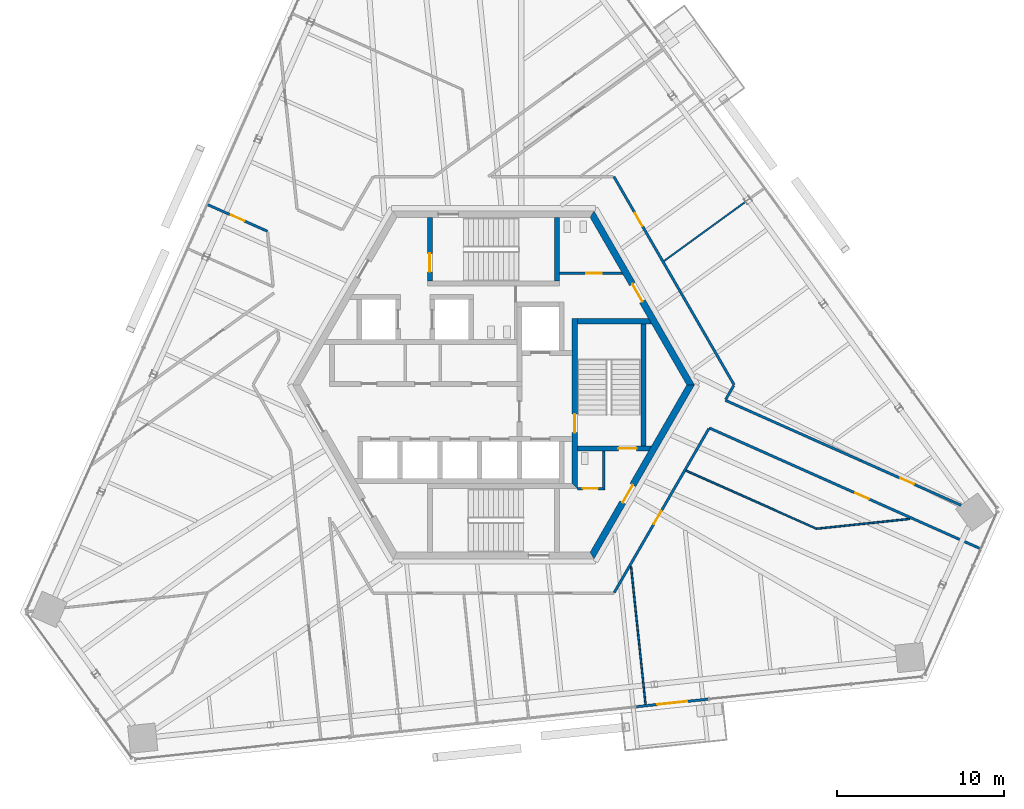
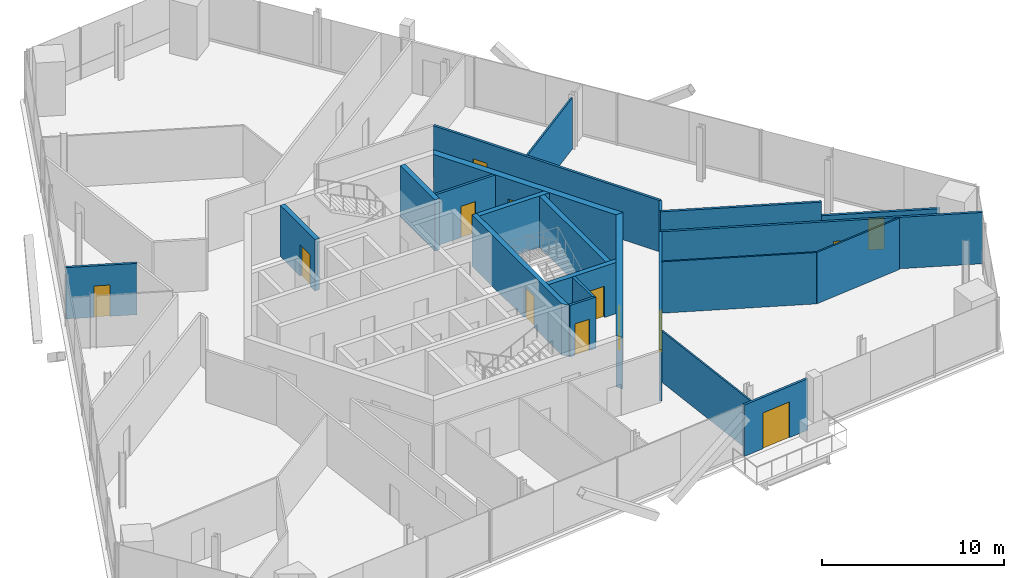
# One storey, part 13 of 18: 23 walls, 13 doors, 13 openings.
"""IFC4 building model written with IfcOpenShell, lengths in metres."""

from ifc_helpers import new_model, si_unit, direction, frame, frame_2d, origin, place, context, subcontext, project, spatial, polyline, rectangle, outline, extrude, source, transform, mapped, material, layer, layer_set, type_object, element, fill, save


model = new_model("IFC4")

# Units and contexts
model_context = context("Model", 3, precision=1e-05, world=origin(), true_north=direction((0.0, 1.0)))
body_context = subcontext(model_context, "Body", "Model", "MODEL_VIEW")
ifc_project = project(units=[si_unit("LENGTHUNIT", "METRE"), si_unit("AREAUNIT", "SQUARE_METRE"), si_unit("VOLUMEUNIT", "CUBIC_METRE"), si_unit("PLANEANGLEUNIT", "RADIAN"), si_unit("MASSUNIT", "GRAM", prefix="KILO")], contexts=[model_context])

# Site, building, storey
site_placement = place(None, origin())
site = spatial("IfcSite", under=ifc_project, at=site_placement, CompositionType="ELEMENT")
building_placement = place(site_placement, origin())
building = spatial("IfcBuilding", under=site, at=building_placement, Name="Triune Harvest Tower", CompositionType="ELEMENT")
storey_placement = place(building_placement, frame((0.0, 0.0, 237.699951171875)))
storey = spatial("IfcBuildingStorey", under=building, at=storey_placement, Name="L62", CompositionType="ELEMENT", Elevation=237.699951171875)

# Wall, opening, door
ifc_material_1 = material(Name="Gypsum board on steel studs", Category="steel")
ifc_layer_1 = layer(ifc_material_1, 0.14990234375)
ifc_layer_set_1 = layer_set([ifc_layer_1], Name="Gypsum board on steel studs")
wall_type_1 = type_object("IfcWallType", Name="Fire Partition 150 mm", PredefinedType="PARTITIONING", material=ifc_layer_set_1)
wall_1_placement = place(storey_placement, frame((7.20849609375, -12.399169921875, 0.0), z_axis=(0.0, 0.0, 1.0), x_axis=(0.500004300164, 0.866022921069, 0.0)))
wall_1 = element("IfcWall", 1, at=wall_1_placement, inside=storey, type_object=wall_type_1, Name="Partition L62 040", PredefinedType="PARTITIONING", context=body_context, shape_type="SweptSolid", body=[
    extrude(rectangle(XDim=11.29736328125, YDim=0.14990234375, at=frame_2d((5.648681640625, 0.0))), origin(), (0.0, 0.0, 1.0), 3.43994140625),
])
opening_1_placement = place(wall_1_placement, frame((4.72314453125, 0.0, 0.0)))
opening_1 = element("IfcOpeningElement", 2, at=opening_1_placement, cuts=wall_1, Name="Opening L62-016", PredefinedType="OPENING", context=body_context, shape_type="SweptSolid", body=[
    extrude(rectangle(XDim=0.89990234375, YDim=2.10009765625, at=frame_2d((0.449951171875, 1.050048828125))), frame((0.0, 0.0849609375, 0.0), z_axis=(0.0, -1.0, 0.0), x_axis=(1.0, 0.0, 0.0)), (0.0, 0.0, 1.0), 0.169921875),
])
ifc_material_2 = material(Name="Timber and steel door set", Category="steel")
door_type_1 = type_object("IfcDoorType", Name="Single leaf door FD30 right hand 900 x 2100", OperationType="SINGLE_SWING_RIGHT", PredefinedType="DOOR", material=ifc_material_2)
door_1_placement = place(opening_1_placement, origin())
door_1 = element("IfcDoor", 3, at=door_1_placement, inside=storey, type_object=door_type_1, Name="Door L62-016 Office 62.16", OperationType="SINGLE_SWING_RIGHT", OverallHeight=2.10009765625, OverallWidth=0.89990234375, PredefinedType="DOOR", context=body_context, shape_type="SweptSolid", body=[
    extrude(rectangle(XDim=0.89990234375, YDim=2.10009765625, at=frame_2d((0.449951171875, 1.050048828125))), frame((0.0, 0.02490234375, 0.0), z_axis=(0.0, -1.0, 0.0), x_axis=(1.0, 0.0, 0.0)), (0.0, 0.0, 1.0), 0.050048828125),
])
fill(opening_1, door_1)

# Walls
ifc_material_3 = material(Name="Gypsum board on steel studs", Category="steel")
ifc_layer_2 = layer(ifc_material_3, 0.10009765625)
ifc_layer_set_2 = layer_set([ifc_layer_2], Name="Gypsum board on steel studs")
wall_type_2 = type_object("IfcWallType", Name="Partition 100 mm", PredefinedType="PARTITIONING", material=ifc_layer_set_2)
wall_2_placement = place(storey_placement, frame((8.2119140625, -10.849609375, 0.0), z_axis=(0.0, 0.0, 1.0), x_axis=(0.10452506602, -0.994522252427, 0.0)))
element("IfcWall", 4, at=wall_2_placement, inside=storey, type_object=wall_type_2, Name="Partition L62 012", PredefinedType="PARTITIONING", context=body_context, shape_type="SweptSolid", body=[
    extrude(rectangle(XDim=8.354736328125, YDim=0.10009765625, at=frame_2d((4.17724609375, 0.0))), origin(), (0.0, 0.0, 1.0), 3.43994140625),
])
wall_3_placement = place(storey_placement, frame((19.299560546875, -8.58740234375, 0.0), z_axis=(0.0, 0.0, 1.0), x_axis=(0.994522010667, 0.104527366272, 0.0)))
element("IfcWall", 5, at=wall_3_placement, inside=storey, type_object=wall_type_2, Name="Partition L62 030", PredefinedType="PARTITIONING", context=body_context, shape_type="SweptSolid", body=[
    extrude(rectangle(XDim=5.570556640625, YDim=0.10009765625, at=frame_2d((2.78515625, 0.0))), origin(), (0.0, 0.0, 1.0), 3.43994140625),
])

# Wall, opening, door
ifc_material_4 = material(Name="Concrete 70 MPa", Category="concrete")
ifc_layer_3 = layer(ifc_material_4, 0.39990234375)
ifc_layer_set_3 = layer_set([ifc_layer_3], Name="Concrete 70 MPa")
wall_type_3 = type_object("IfcWallType", Name="Core wall 400", PredefinedType="SHEAR", material=ifc_layer_set_3)
shared_shape_1 = source(origin(), body_context, "Body", "SweptSolid", [
    extrude(outline(polyline([(-0.115478515625, -0.199951171875), (11.884521484375, -0.199951171875), (11.653564453125, 0.199951171875), (0.115478515625, 0.199951171875), (-0.115478515625, -0.199951171875)])), origin(), (0.0, 0.0, 1.0), 3.43994140625),
])
wall_4_placement = place(storey_placement, frame((11.76904296875, 0.0, 0.0), z_axis=(0.0, 0.0, 1.0), x_axis=(-0.499996592174, 0.866027371285, 0.0)))
wall_4 = element("IfcWall", 6, at=wall_4_placement, inside=storey, type_object=wall_type_3, Name="Hexagon 0 wall", PredefinedType="SHEAR", context=body_context, shape_type="MappedRepresentation", body=[
    mapped(shared_shape_1, transform((0.0, 0.0, 0.0), scale=1.0)),
])
opening_2_placement = place(wall_4_placement, frame((5.75048828125, 0.0, 0.0)))
opening_2 = element("IfcOpeningElement", 7, at=opening_2_placement, cuts=wall_4, Name="Opening CD-WCP", PredefinedType="OPENING", context=body_context, shape_type="SweptSolid", body=[
    extrude(rectangle(XDim=1.199951171875, YDim=2.10009765625, at=frame_2d((0.60009765625, 1.050048828125))), frame((0.0, 0.2099609375, 0.0), z_axis=(0.0, -1.0, 0.0), x_axis=(1.0, 0.0, 0.0)), (0.0, 0.0, 1.0), 0.419921875),
])
ifc_material_5 = material(Name="Steel S235", Category="steel")
door_type_2 = type_object("IfcDoorType", Name="Lobby door 1200 FD120", OperationType="SINGLE_SWING_LEFT", PredefinedType="DOOR", material=ifc_material_5)
door_2_placement = place(opening_2_placement, frame((1.199951171875, 0.0, 0.0), z_axis=(0.0, 0.0, 1.0), x_axis=(-1.0, 0.0, 0.0)))
door_2 = element("IfcDoor", 8, at=door_2_placement, inside=storey, type_object=door_type_2, Name="Door CD-WCP", OperationType="SINGLE_SWING_RIGHT", OverallHeight=2.10009765625, OverallWidth=1.199951171875, PredefinedType="DOOR", context=body_context, shape_type="SweptSolid", body=[
    extrude(rectangle(XDim=1.199951171875, YDim=2.10009765625, at=frame_2d((0.60009765625, 1.050048828125))), frame((0.0, 0.02490234375, 0.0), z_axis=(0.0, -1.0, 0.0), x_axis=(1.0, 0.0, 0.0)), (0.0, 0.0, 1.0), 0.050048828125),
])
fill(opening_2, door_2)

wall_5_placement = place(storey_placement, frame((5.884521484375, -10.1923828125, 0.0), z_axis=(0.0, 0.0, 1.0), x_axis=(0.499996592174, 0.866027371285, 0.0)))
wall_5 = element("IfcWall", 9, at=wall_5_placement, inside=storey, type_object=wall_type_3, Name="Hexagon 5 wall", PredefinedType="SHEAR", context=body_context, shape_type="MappedRepresentation", body=[
    mapped(shared_shape_1, transform((0.0, 0.0, 0.0), scale=1.0)),
])
opening_3_placement = place(wall_5_placement, frame((3.66455078125, 0.0, 0.0)))
opening_3 = element("IfcOpeningElement", 10, at=opening_3_placement, cuts=wall_5, Name="Opening CD-DP", PredefinedType="OPENING", context=body_context, shape_type="SweptSolid", body=[
    extrude(rectangle(XDim=1.199951171875, YDim=2.10009765625, at=frame_2d((0.60009765625, 1.050048828125))), frame((0.0, 0.2099609375, 0.0), z_axis=(0.0, -1.0, 0.0), x_axis=(1.0, 0.0, 0.0)), (0.0, 0.0, 1.0), 0.419921875),
])
ifc_material_6 = material(Name="Steel S235", Category="steel")
door_type_3 = type_object("IfcDoorType", Name="Stair door 1200 FD120", OperationType="SINGLE_SWING_LEFT", PredefinedType="DOOR", material=ifc_material_6)
door_3_placement = place(opening_3_placement, frame((1.199951171875, 0.0, 0.0), z_axis=(0.0, 0.0, 1.0), x_axis=(-1.0, 0.0, 0.0)))
door_3 = element("IfcDoor", 11, at=door_3_placement, inside=storey, type_object=door_type_3, Name="Door CD-DP", OperationType="SINGLE_SWING_RIGHT", OverallHeight=2.10009765625, OverallWidth=1.199951171875, PredefinedType="DOOR", context=body_context, shape_type="SweptSolid", body=[
    extrude(rectangle(XDim=1.199951171875, YDim=2.10009765625, at=frame_2d((0.60009765625, 1.050048828125))), frame((0.0, 0.02490234375, 0.0), z_axis=(0.0, -1.0, 0.0), x_axis=(1.0, 0.0, 0.0)), (0.0, 0.0, 1.0), 0.050048828125),
])
fill(opening_3, door_3)

ifc_material_7 = material(Name="Concrete 70 MPa", Category="concrete")
ifc_layer_4 = layer(ifc_material_7, 0.300048828125)
ifc_layer_set_4 = layer_set([ifc_layer_4], Name="Concrete 70 MPa")
wall_type_4 = type_object("IfcWallType", Name="Core wall 300", PredefinedType="SHEAR", material=ifc_layer_set_4)
shared_shape_2 = source(origin(), body_context, "Body", "SweptSolid", [
    extrude(outline(polyline([(-0.14990234375, -0.14990234375), (9.989990234375, -0.14990234375), (9.989990234375, 0.14990234375), (0.14990234375, 0.14990234375), (-0.14990234375, -0.14990234375)])), origin(), (0.0, 0.0, 1.0), 3.43994140625),
])
wall_6_placement = place(storey_placement, frame((4.85009765625, -6.0400390625, 0.0), z_axis=(0.0, 0.0, 1.0), x_axis=(0.0, 1.0, 0.0)))
wall_6 = element("IfcWall", 12, at=wall_6_placement, inside=storey, type_object=wall_type_4, Name="Stair e west wall", PredefinedType="SHEAR", context=body_context, shape_type="MappedRepresentation", body=[
    mapped(shared_shape_2, transform((0.0, 0.0, 0.0), scale=1.0)),
])
opening_4_placement = place(wall_6_placement, frame((3.18994140625, 0.0, 0.0)))
opening_4 = element("IfcOpeningElement", 13, at=opening_4_placement, cuts=wall_6, Name="Opening CD-S3L", PredefinedType="OPENING", context=body_context, shape_type="SweptSolid", body=[
    extrude(rectangle(XDim=1.10009765625, YDim=2.10009765625, at=frame_2d((0.550048828125, 1.050048828125))), frame((0.0, 0.16015625, 0.0), z_axis=(0.0, -1.0, 0.0), x_axis=(1.0, 0.0, 0.0)), (0.0, 0.0, 1.0), 0.320068359375),
])
ifc_material_8 = material(Name="Steel S235", Category="steel")
door_type_4 = type_object("IfcDoorType", Name="Stair door 1100 FD120", OperationType="SINGLE_SWING_LEFT", PredefinedType="DOOR", material=ifc_material_8)
door_4_placement = place(opening_4_placement, frame((1.10009765625, 0.0, 0.0), z_axis=(0.0, 0.0, 1.0), x_axis=(-1.0, 0.0, 0.0)))
door_4 = element("IfcDoor", 14, at=door_4_placement, inside=storey, type_object=door_type_4, Name="Door CD-S3L", OperationType="SINGLE_SWING_RIGHT", OverallHeight=2.10009765625, OverallWidth=1.10009765625, PredefinedType="DOOR", context=body_context, shape_type="SweptSolid", body=[
    extrude(rectangle(XDim=1.10009765625, YDim=2.10009765625, at=frame_2d((0.550048828125, 1.050048828125))), frame((0.0, 0.02490234375, 0.0), z_axis=(0.0, -1.0, 0.0), x_axis=(1.0, 0.0, 0.0)), (0.0, 0.0, 1.0), 0.050048828125),
])
fill(opening_4, door_4)

# Wall
shared_shape_3 = source(origin(), body_context, "Body", "SweptSolid", [
    extrude(outline(polyline([(0.0, -0.14990234375), (0.0, 0.14990234375), (4.260009765625, 0.14990234375), (4.43310546875, -0.14990234375), (0.0, -0.14990234375)])), origin(), (0.0, 0.0, 1.0), 3.43994140625),
])
wall_7_placement = place(storey_placement, frame((5.0, 3.800048828125, 0.0), z_axis=(0.0, 0.0, 1.0), x_axis=(1.0, 0.0, 0.0)))
element("IfcWall", 15, at=wall_7_placement, inside=storey, type_object=wall_type_4, Name="Stair e north wall", PredefinedType="SHEAR", context=body_context, shape_type="MappedRepresentation", body=[
    mapped(shared_shape_3, transform((0.0, 0.0, 0.0), scale=1.0)),
])

# Wall, opening, door
shared_shape_4 = source(origin(), body_context, "Body", "SweptSolid", [
    extrude(outline(polyline([(0.0, -0.14990234375), (0.0, 0.14990234375), (4.43310546875, 0.14990234375), (4.260009765625, -0.14990234375), (0.0, -0.14990234375)])), origin(), (0.0, 0.0, 1.0), 3.43994140625),
])
wall_8_placement = place(storey_placement, frame((5.0, -3.800048828125, 0.0), z_axis=(0.0, 0.0, 1.0), x_axis=(1.0, 0.0, 0.0)))
wall_8 = element("IfcWall", 16, at=wall_8_placement, inside=storey, type_object=wall_type_4, Name="Stair e south wall", PredefinedType="SHEAR", context=body_context, shape_type="MappedRepresentation", body=[
    mapped(shared_shape_4, transform((0.0, 0.0, 0.0), scale=1.0)),
])
opening_5_placement = place(wall_8_placement, frame((2.449951171875, 0.0, 0.0)))
opening_5 = element("IfcOpeningElement", 17, at=opening_5_placement, cuts=wall_8, Name="Opening CD-S3D", PredefinedType="OPENING", context=body_context, shape_type="SweptSolid", body=[
    extrude(rectangle(XDim=1.10009765625, YDim=2.10009765625, at=frame_2d((0.550048828125, 1.050048828125))), frame((0.0, 0.16015625, 0.0), z_axis=(0.0, -1.0, 0.0), x_axis=(1.0, 0.0, 0.0)), (0.0, 0.0, 1.0), 0.320068359375),
])
door_5_placement = place(opening_5_placement, frame((1.10009765625, 0.0, 0.0), z_axis=(0.0, 0.0, 1.0), x_axis=(-1.0, 0.0, 0.0)))
door_5 = element("IfcDoor", 18, at=door_5_placement, inside=storey, type_object=door_type_4, Name="Door CD-S3D", OperationType="SINGLE_SWING_RIGHT", OverallHeight=2.10009765625, OverallWidth=1.10009765625, PredefinedType="DOOR", context=body_context, shape_type="SweptSolid", body=[
    extrude(rectangle(XDim=1.10009765625, YDim=2.10009765625, at=frame_2d((0.550048828125, 1.050048828125))), frame((0.0, 0.02490234375, 0.0), z_axis=(0.0, -1.0, 0.0), x_axis=(1.0, 0.0, 0.0)), (0.0, 0.0, 1.0), 0.050048828125),
])
fill(opening_5, door_5)

# Wall
shared_shape_5 = source(origin(), body_context, "Body", "SweptSolid", [
    extrude(rectangle(XDim=7.2998046875, YDim=0.300048828125, at=frame_2d((3.64990234375, 0.0))), origin(), (0.0, 0.0, 1.0), 3.43994140625),
])
wall_9_placement = place(storey_placement, frame((8.949951171875, -3.64990234375, 0.0), z_axis=(0.0, 0.0, 1.0), x_axis=(0.0, 1.0, 0.0)))
element("IfcWall", 19, at=wall_9_placement, inside=storey, type_object=wall_type_4, Name="Stair e east wall", PredefinedType="SHEAR", context=body_context, shape_type="MappedRepresentation", body=[
    mapped(shared_shape_5, transform((0.0, 0.0, 0.0), scale=1.0)),
])

# Wall, opening, door
shared_shape_6 = source(origin(), body_context, "Body", "SweptSolid", [
    extrude(outline(polyline([(0.0, -0.14990234375), (0.0, 0.14990234375), (3.80419921875, 0.14990234375), (3.80419921875, -0.14990234375), (0.0, -0.14990234375)])), origin(), (0.0, 0.0, 1.0), 3.43994140625),
])
wall_10_placement = place(storey_placement, frame((-3.800048828125, 6.18994140625, 0.0), z_axis=(0.0, 0.0, 1.0), x_axis=(0.0, 1.0, 0.0)))
wall_10 = element("IfcWall", 20, at=wall_10_placement, inside=storey, type_object=wall_type_4, Name="Stair n west wall", PredefinedType="SHEAR", context=body_context, shape_type="MappedRepresentation", body=[
    mapped(shared_shape_6, transform((0.0, 0.0, 0.0), scale=1.0)),
])
opening_6_placement = place(wall_10_placement, frame((0.56005859375, 0.0, 0.0)))
opening_6 = element("IfcOpeningElement", 21, at=opening_6_placement, cuts=wall_10, Name="Opening CD-S1L", PredefinedType="OPENING", context=body_context, shape_type="SweptSolid", body=[
    extrude(rectangle(XDim=1.10009765625, YDim=2.10009765625, at=frame_2d((0.550048828125, 1.050048828125))), frame((0.0, 0.16015625, 0.0), z_axis=(0.0, -1.0, 0.0), x_axis=(1.0, 0.0, 0.0)), (0.0, 0.0, 1.0), 0.320068359375),
])
door_6_placement = place(opening_6_placement, frame((1.10009765625, 0.0, 0.0), z_axis=(0.0, 0.0, 1.0), x_axis=(-1.0, 0.0, 0.0)))
door_6 = element("IfcDoor", 22, at=door_6_placement, inside=storey, type_object=door_type_4, Name="Door CD-S1L", OperationType="SINGLE_SWING_RIGHT", OverallHeight=2.10009765625, OverallWidth=1.10009765625, PredefinedType="DOOR", context=body_context, shape_type="SweptSolid", body=[
    extrude(rectangle(XDim=1.10009765625, YDim=2.10009765625, at=frame_2d((0.550048828125, 1.050048828125))), frame((0.0, 0.02490234375, 0.0), z_axis=(0.0, -1.0, 0.0), x_axis=(1.0, 0.0, 0.0)), (0.0, 0.0, 1.0), 0.050048828125),
])
fill(opening_6, door_6)

# Wall
wall_11_placement = place(storey_placement, frame((3.800048828125, 6.18994140625, 0.0), z_axis=(0.0, 0.0, 1.0), x_axis=(0.0, 1.0, 0.0)))
element("IfcWall", 23, at=wall_11_placement, inside=storey, type_object=wall_type_4, Name="Stair n east wall", PredefinedType="SHEAR", context=body_context, shape_type="MappedRepresentation", body=[
    mapped(shared_shape_6, transform((0.0, 0.0, 0.0), scale=1.0)),
])

# Wall, opening, door
ifc_material_9 = material(Name="Concrete masonry unit", Category="masonry")
ifc_layer_5 = layer(ifc_material_9, 0.14990234375)
ifc_layer_set_5 = layer_set([ifc_layer_5], Name="Concrete masonry unit")
wall_type_5 = type_object("IfcWallType", Name="Block partition 150 unrated", PredefinedType="PARTITIONING", material=ifc_layer_set_5)
shared_shape_7 = source(origin(), body_context, "Body", "SweptSolid", [
    extrude(outline(polyline([(0.0, -0.074951171875), (0.0, 0.074951171875), (3.693359375, 0.074951171875), (3.77978515625, -0.074951171875), (0.0, -0.074951171875)])), origin(), (0.0, 0.0, 1.0), 3.43994140625),
])
wall_12_placement = place(storey_placement, frame((3.949951171875, 6.675048828125, 0.0), z_axis=(0.0, 0.0, 1.0), x_axis=(1.0, 0.0, 0.0)))
wall_12 = element("IfcWall", 24, at=wall_12_placement, inside=storey, type_object=wall_type_5, Name="Wc women south wall", PredefinedType="PARTITIONING", context=body_context, shape_type="MappedRepresentation", body=[
    mapped(shared_shape_7, transform((0.0, 0.0, 0.0), scale=1.0)),
])
opening_7_placement = place(wall_12_placement, frame((1.60009765625, 0.0, 0.0)))
opening_7 = element("IfcOpeningElement", 25, at=opening_7_placement, cuts=wall_12, Name="Opening CD-WW", PredefinedType="OPENING", context=body_context, shape_type="SweptSolid", body=[
    extrude(rectangle(XDim=0.89990234375, YDim=2.10009765625, at=frame_2d((0.449951171875, 1.050048828125))), frame((0.0, 0.0849609375, 0.0), z_axis=(0.0, -1.0, 0.0), x_axis=(1.0, 0.0, 0.0)), (0.0, 0.0, 1.0), 0.169921875),
])
ifc_material_10 = material(Name="Timber C24", Category="wood")
door_type_5 = type_object("IfcDoorType", Name="WC door 900", OperationType="SINGLE_SWING_LEFT", PredefinedType="DOOR", material=ifc_material_10)
door_7_placement = place(opening_7_placement, origin())
door_7 = element("IfcDoor", 26, at=door_7_placement, inside=storey, type_object=door_type_5, Name="Door CD-WW", OperationType="SINGLE_SWING_LEFT", OverallHeight=2.10009765625, OverallWidth=0.89990234375, PredefinedType="DOOR", context=body_context, shape_type="SweptSolid", body=[
    extrude(rectangle(XDim=0.89990234375, YDim=2.10009765625, at=frame_2d((0.449951171875, 1.050048828125))), frame((0.0, 0.02490234375, 0.0), z_axis=(0.0, -1.0, 0.0), x_axis=(1.0, 0.0, 0.0)), (0.0, 0.0, 1.0), 0.050048828125),
])
fill(opening_7, door_7)

shared_shape_8 = source(origin(), body_context, "Body", "SweptSolid", [
    extrude(outline(polyline([(0.0, -0.074951171875), (1.64990234375, -0.074951171875), (1.5, 0.074951171875), (0.0, 0.074951171875), (0.0, -0.074951171875)])), origin(), (0.0, 0.0, 1.0), 3.43994140625),
])
wall_13_placement = place(storey_placement, frame((5.0, -6.18994140625, 0.0), z_axis=(0.0, 0.0, 1.0), x_axis=(1.0, 0.0, 0.0)))
wall_13 = element("IfcWall", 27, at=wall_13_placement, inside=storey, type_object=wall_type_5, Name="Wc acc south wall", PredefinedType="PARTITIONING", context=body_context, shape_type="MappedRepresentation", body=[
    mapped(shared_shape_8, transform((0.0, 0.0, 0.0), scale=1.0)),
])
opening_8_placement = place(wall_13_placement, frame((0.33740234375, 0.0, 0.0)))
opening_8 = element("IfcOpeningElement", 28, at=opening_8_placement, cuts=wall_13, Name="Opening CD-WA", PredefinedType="OPENING", context=body_context, shape_type="SweptSolid", body=[
    extrude(rectangle(XDim=0.89990234375, YDim=2.10009765625, at=frame_2d((0.449951171875, 1.050048828125))), frame((0.0, 0.0849609375, 0.0), z_axis=(0.0, -1.0, 0.0), x_axis=(1.0, 0.0, 0.0)), (0.0, 0.0, 1.0), 0.169921875),
])
door_8_placement = place(opening_8_placement, origin())
door_8 = element("IfcDoor", 29, at=door_8_placement, inside=storey, type_object=door_type_5, Name="Door CD-WA", OperationType="SINGLE_SWING_LEFT", OverallHeight=2.10009765625, OverallWidth=0.89990234375, PredefinedType="DOOR", context=body_context, shape_type="SweptSolid", body=[
    extrude(rectangle(XDim=0.89990234375, YDim=2.10009765625, at=frame_2d((0.449951171875, 1.050048828125))), frame((0.0, 0.02490234375, 0.0), z_axis=(0.0, -1.0, 0.0), x_axis=(1.0, 0.0, 0.0)), (0.0, 0.0, 1.0), 0.050048828125),
])
fill(opening_8, door_8)

# Wall
shared_shape_9 = source(origin(), body_context, "Body", "SweptSolid", [
    extrude(outline(polyline([(-0.074951171875, -0.074951171875), (2.239990234375, -0.074951171875), (2.239990234375, 0.074951171875), (0.074951171875, 0.074951171875), (-0.074951171875, -0.074951171875)])), origin(), (0.0, 0.0, 1.0), 3.43994140625),
])
wall_14_placement = place(storey_placement, frame((6.574951171875, -6.18994140625, 0.0), z_axis=(0.0, 0.0, 1.0), x_axis=(0.0, 1.0, 0.0)))
element("IfcWall", 30, at=wall_14_placement, inside=storey, type_object=wall_type_5, Name="Wc acc east wall", PredefinedType="PARTITIONING", context=body_context, shape_type="MappedRepresentation", body=[
    mapped(shared_shape_9, transform((0.0, 0.0, 0.0), scale=1.0)),
])

# Wall, opening, door
ifc_material_11 = material(Name="Aluminium bronze anodised", Category="aluminium")
ifc_layer_6 = layer(ifc_material_11, 0.14990234375)
ifc_layer_set_6 = layer_set([ifc_layer_6], Name="Aluminium bronze anodised")
wall_type_6 = type_object("IfcWallType", Name="WW-2 balcony window wall", PredefinedType="ELEMENTEDWALL", material=ifc_layer_set_6)
shared_shape_10 = source(origin(), body_context, "Body", "SweptSolid", [
    extrude(rectangle(XDim=4.31640625, YDim=0.14990234375, at=frame_2d((2.158203125, 0.0))), origin(), (0.0, 0.0, 1.0), 3.43994140625),
])
wall_15_placement = place(storey_placement, frame((12.82275390625, -18.765869140625, 0.0), z_axis=(0.0, 0.0, 1.0), x_axis=(-0.99452217624, -0.104525790917, 0.0)))
wall_15 = element("IfcWall", 31, at=wall_15_placement, inside=storey, type_object=wall_type_6, Name="WW-2 B6-F5 L62.8", PredefinedType="ELEMENTEDWALL", context=body_context, shape_type="MappedRepresentation", body=[
    mapped(shared_shape_10, transform((0.0, 0.0, 0.0), scale=1.0)),
])
opening_9_placement = place(wall_15_placement, frame((1.25830078125, 0.0, 0.0)))
opening_9 = element("IfcOpeningElement", 32, at=opening_9_placement, cuts=wall_15, Name="Opening L62-E02", PredefinedType="OPENING", context=body_context, shape_type="SweptSolid", body=[
    extrude(rectangle(XDim=1.800048828125, YDim=2.39990234375, at=frame_2d((0.89990234375, 1.199951171875))), frame((0.0, 0.0849609375, 0.0), z_axis=(0.0, -1.0, 0.0), x_axis=(1.0, 0.0, 0.0)), (0.0, 0.0, 1.0), 0.169921875),
])
ifc_material_12 = material(Name="Glass", Category="glass")
door_type_6 = type_object("IfcDoorType", Name="DB-1 balcony door 1800 x 2400", OperationType="DOUBLE_DOOR_SINGLE_SWING", PredefinedType="DOOR", material=ifc_material_12)
door_9_placement = place(opening_9_placement, origin())
door_9 = element("IfcDoor", 33, at=door_9_placement, inside=storey, type_object=door_type_6, Name="Door L62-E02", OperationType="DOUBLE_DOOR_SINGLE_SWING", OverallHeight=2.39990234375, OverallWidth=1.800048828125, PredefinedType="DOOR", context=body_context, shape_type="SweptSolid", body=[
    extrude(rectangle(XDim=1.800048828125, YDim=2.39990234375, at=frame_2d((0.89990234375, 1.199951171875))), frame((0.0, 0.02490234375, 0.0), z_axis=(0.0, -1.0, 0.0), x_axis=(1.0, 0.0, 0.0)), (0.0, 0.0, 1.0), 0.050048828125),
])
fill(opening_9, door_9)

shared_shape_11 = source(origin(), body_context, "Body", "SweptSolid", [
    extrude(rectangle(XDim=14.3671875, YDim=0.14990234375, at=frame_2d((7.18359375, 0.0))), origin(), (0.0, 0.0, 1.0), 3.43994140625),
])
wall_16_placement = place(storey_placement, frame((7.18359375, 12.4423828125, 0.0), z_axis=(0.0, 0.0, 1.0), x_axis=(0.499998991654, -0.866025985952, 0.0)))
wall_16 = element("IfcWall", 34, at=wall_16_placement, inside=storey, type_object=wall_type_1, Name="Partition L62 015", PredefinedType="PARTITIONING", context=body_context, shape_type="MappedRepresentation", body=[
    mapped(shared_shape_11, transform((0.0, 0.0, 0.0), scale=1.0)),
])
opening_10_placement = place(wall_16_placement, frame((2.52587890625, 0.0, 0.0)))
opening_10 = element("IfcOpeningElement", 35, at=opening_10_placement, cuts=wall_16, Name="Opening L62-003", PredefinedType="OPENING", context=body_context, shape_type="SweptSolid", body=[
    extrude(rectangle(XDim=0.89990234375, YDim=2.10009765625, at=frame_2d((0.449951171875, 1.050048828125))), frame((0.0, 0.0849609375, 0.0), z_axis=(0.0, -1.0, 0.0), x_axis=(1.0, 0.0, 0.0)), (0.0, 0.0, 1.0), 0.169921875),
])
ifc_material_13 = material(Name="Timber and steel door set", Category="steel")
door_type_7 = type_object("IfcDoorType", Name="Single leaf door FD30 left hand 900 x 2100", OperationType="SINGLE_SWING_LEFT", PredefinedType="DOOR", material=ifc_material_13)
door_10_placement = place(opening_10_placement, origin())
door_10 = element("IfcDoor", 36, at=door_10_placement, inside=storey, type_object=door_type_7, Name="Door L62-003 Project Room 62.03", OperationType="SINGLE_SWING_LEFT", OverallHeight=2.10009765625, OverallWidth=0.89990234375, PredefinedType="DOOR", context=body_context, shape_type="SweptSolid", body=[
    extrude(rectangle(XDim=0.89990234375, YDim=2.10009765625, at=frame_2d((0.449951171875, 1.050048828125))), frame((0.0, 0.02490234375, 0.0), z_axis=(0.0, -1.0, 0.0), x_axis=(1.0, 0.0, 0.0)), (0.0, 0.0, 1.0), 0.050048828125),
])
fill(opening_10, door_10)

# Wall
shared_shape_12 = source(origin(), body_context, "Body", "SweptSolid", [
    extrude(rectangle(XDim=8.544921875, YDim=0.10009765625, at=frame_2d((4.2724609375, 0.0))), origin(), (0.0, 0.0, 1.0), 3.43994140625),
])
wall_17_placement = place(storey_placement, frame((11.48388671875, -5.113037109375, 0.0), z_axis=(0.0, 0.0, 1.0), x_axis=(0.913553334727, -0.406718950392, 0.0)))
element("IfcWall", 37, at=wall_17_placement, inside=storey, type_object=wall_type_2, Name="Partition L62 018", PredefinedType="PARTITIONING", context=body_context, shape_type="MappedRepresentation", body=[
    mapped(shared_shape_12, transform((0.0, 0.0, 0.0), scale=1.0)),
])

# Wall, opening, door
shared_shape_13 = source(origin(), body_context, "Body", "SweptSolid", [
    extrude(rectangle(XDim=3.93701171875, YDim=0.14990234375, at=frame_2d((1.968505859375, 0.0))), origin(), (0.0, 0.0, 1.0), 3.43994140625),
])
wall_18_placement = place(storey_placement, frame((-17.098876953125, 10.77587890625, 0.0), z_axis=(0.0, 0.0, 1.0), x_axis=(0.913571009461, -0.406679247899, 0.0)))
wall_18 = element("IfcWall", 38, at=wall_18_placement, inside=storey, type_object=wall_type_1, Name="Partition L62 019", PredefinedType="PARTITIONING", context=body_context, shape_type="MappedRepresentation", body=[
    mapped(shared_shape_13, transform((0.0, 0.0, 0.0), scale=1.0)),
])
opening_11_placement = place(wall_18_placement, frame((1.550048828125, 0.0, 0.0)))
opening_11 = element("IfcOpeningElement", 39, at=opening_11_placement, cuts=wall_18, Name="Opening L62-007", PredefinedType="OPENING", context=body_context, shape_type="SweptSolid", body=[
    extrude(rectangle(XDim=0.89990234375, YDim=2.10009765625, at=frame_2d((0.449951171875, 1.050048828125))), frame((0.0, 0.0849609375, 0.0), z_axis=(0.0, -1.0, 0.0), x_axis=(1.0, 0.0, 0.0)), (0.0, 0.0, 1.0), 0.169921875),
])
door_11_placement = place(opening_11_placement, origin())
door_11 = element("IfcDoor", 40, at=door_11_placement, inside=storey, type_object=door_type_7, Name="Door L62-007 Meeting Room 62.07", OperationType="SINGLE_SWING_LEFT", OverallHeight=2.10009765625, OverallWidth=0.89990234375, PredefinedType="DOOR", context=body_context, shape_type="SweptSolid", body=[
    extrude(rectangle(XDim=0.89990234375, YDim=2.10009765625, at=frame_2d((0.449951171875, 1.050048828125))), frame((0.0, 0.02490234375, 0.0), z_axis=(0.0, -1.0, 0.0), x_axis=(1.0, 0.0, 0.0)), (0.0, 0.0, 1.0), 0.050048828125),
])
fill(opening_11, door_11)

shared_shape_14 = source(origin(), body_context, "Body", "SweptSolid", [
    extrude(rectangle(XDim=17.74658203125, YDim=0.14990234375, at=frame_2d((8.873291015625, 0.0))), origin(), (0.0, 0.0, 1.0), 3.43994140625),
])
wall_19_placement = place(storey_placement, frame((12.882080078125, -2.572509765625, 0.0), z_axis=(0.0, 0.0, 1.0), x_axis=(0.913549833627, -0.406726814312, 0.0)))
wall_19 = element("IfcWall", 41, at=wall_19_placement, inside=storey, type_object=wall_type_1, Name="Partition L62 020", PredefinedType="PARTITIONING", context=body_context, shape_type="MappedRepresentation", body=[
    mapped(shared_shape_14, transform((0.0, 0.0, 0.0), scale=1.0)),
])
opening_12_placement = place(wall_19_placement, frame((9.538818359375, 0.0, 0.0)))
opening_12 = element("IfcOpeningElement", 42, at=opening_12_placement, cuts=wall_19, Name="Opening L62-001", PredefinedType="OPENING", context=body_context, shape_type="SweptSolid", body=[
    extrude(rectangle(XDim=0.89990234375, YDim=2.10009765625, at=frame_2d((0.449951171875, 1.050048828125))), frame((0.0, 0.0849609375, 0.0), z_axis=(0.0, -1.0, 0.0), x_axis=(1.0, 0.0, 0.0)), (0.0, 0.0, 1.0), 0.169921875),
])
door_12_placement = place(opening_12_placement, origin())
door_12 = element("IfcDoor", 43, at=door_12_placement, inside=storey, type_object=door_type_7, Name="Door L62-001 Dry Store Room 62.01", OperationType="SINGLE_SWING_LEFT", OverallHeight=2.10009765625, OverallWidth=0.89990234375, PredefinedType="DOOR", context=body_context, shape_type="SweptSolid", body=[
    extrude(rectangle(XDim=0.89990234375, YDim=2.10009765625, at=frame_2d((0.449951171875, 1.050048828125))), frame((0.0, 0.02490234375, 0.0), z_axis=(0.0, -1.0, 0.0), x_axis=(1.0, 0.0, 0.0)), (0.0, 0.0, 1.0), 0.050048828125),
])
fill(opening_12, door_12)

# Wall
shared_shape_15 = source(origin(), body_context, "Body", "SweptSolid", [
    extrude(rectangle(XDim=8.864501953125, YDim=0.14990234375, at=frame_2d((4.43212890625, 0.0))), origin(), (0.0, 0.0, 1.0), 3.43994140625),
])
wall_20_placement = place(storey_placement, frame((13.837158203125, -0.917724609375, 0.0), z_axis=(0.0, 0.0, 1.0), x_axis=(0.913547867559, -0.406731230272, 0.0)))
element("IfcWall", 44, at=wall_20_placement, inside=storey, type_object=wall_type_1, Name="Partition L62 022", PredefinedType="PARTITIONING", context=body_context, shape_type="MappedRepresentation", body=[
    mapped(shared_shape_15, transform((0.0, 0.0, 0.0), scale=1.0)),
])

# Wall, opening, door
shared_shape_16 = source(origin(), body_context, "Body", "SweptSolid", [
    extrude(rectangle(XDim=6.5478515625, YDim=0.14990234375, at=frame_2d((3.27392578125, 0.0))), origin(), (0.0, 0.0, 1.0), 2.525634765625),
])
wall_21_placement = place(storey_placement, frame((21.935302734375, -4.523193359375, 0.0), z_axis=(0.0, 0.0, 1.0), x_axis=(0.913539195618, -0.406750707522, 0.0)))
wall_21 = element("IfcWall", 45, at=wall_21_placement, inside=storey, type_object=wall_type_1, Name="Partition L62 022a", PredefinedType="PARTITIONING", context=body_context, shape_type="MappedRepresentation", body=[
    mapped(shared_shape_16, transform((0.0, 0.0, 0.0), scale=1.0)),
])
opening_13_placement = place(wall_21_placement, frame((2.582763671875, 0.0, 0.0)))
opening_13 = element("IfcOpeningElement", 46, at=opening_13_placement, cuts=wall_21, Name="Opening L62-002", PredefinedType="OPENING", context=body_context, shape_type="SweptSolid", body=[
    extrude(rectangle(XDim=0.89990234375, YDim=2.10009765625, at=frame_2d((0.449951171875, 1.050048828125))), frame((0.0, 0.0849609375, 0.0), z_axis=(0.0, -1.0, 0.0), x_axis=(1.0, 0.0, 0.0)), (0.0, 0.0, 1.0), 0.169921875),
])
door_13_placement = place(opening_13_placement, origin())
door_13 = element("IfcDoor", 47, at=door_13_placement, inside=storey, type_object=door_type_1, Name="Door L62-002 Open Office 62.02", OperationType="SINGLE_SWING_RIGHT", OverallHeight=2.10009765625, OverallWidth=0.89990234375, PredefinedType="DOOR", context=body_context, shape_type="SweptSolid", body=[
    extrude(rectangle(XDim=0.89990234375, YDim=2.10009765625, at=frame_2d((0.449951171875, 1.050048828125))), frame((0.0, 0.02490234375, 0.0), z_axis=(0.0, -1.0, 0.0), x_axis=(1.0, 0.0, 0.0)), (0.0, 0.0, 1.0), 0.050048828125),
])
fill(opening_13, door_13)

# Walls
shared_shape_17 = source(origin(), body_context, "Body", "SweptSolid", [
    extrude(rectangle(XDim=0.94970703125, YDim=0.14990234375, at=frame_2d((0.474853515625, 0.0))), origin(), (0.0, 0.0, 1.0), 3.43994140625),
])
wall_22_placement = place(storey_placement, frame((13.8671875, -0.865966796875, 0.0), z_axis=(0.0, 0.0, 1.0), x_axis=(0.499789222053, 0.866147062293, 0.0)))
element("IfcWall", 48, at=wall_22_placement, inside=storey, type_object=wall_type_1, Name="Partition L62 041", PredefinedType="PARTITIONING", context=body_context, shape_type="MappedRepresentation", body=[
    mapped(shared_shape_17, transform((0.0, 0.0, 0.0), scale=1.0)),
])
shared_shape_18 = source(origin(), body_context, "Body", "SweptSolid", [
    extrude(rectangle(XDim=6.04931640625, YDim=0.10009765625, at=frame_2d((3.024658203125, 0.0))), origin(), (0.0, 0.0, 1.0), 3.43994140625),
])
wall_23_placement = place(storey_placement, frame((10.169921875, 7.388916015625, 0.0), z_axis=(0.0, 0.0, 1.0), x_axis=(0.809022205152, 0.587778080207, 0.0)))
element("IfcWall", 49, at=wall_23_placement, inside=storey, type_object=wall_type_2, Name="Partition L62 033", PredefinedType="PARTITIONING", context=body_context, shape_type="MappedRepresentation", body=[
    mapped(shared_shape_18, transform((0.0, 0.0, 0.0), scale=1.0)),
])

save(model, "model.ifc")
